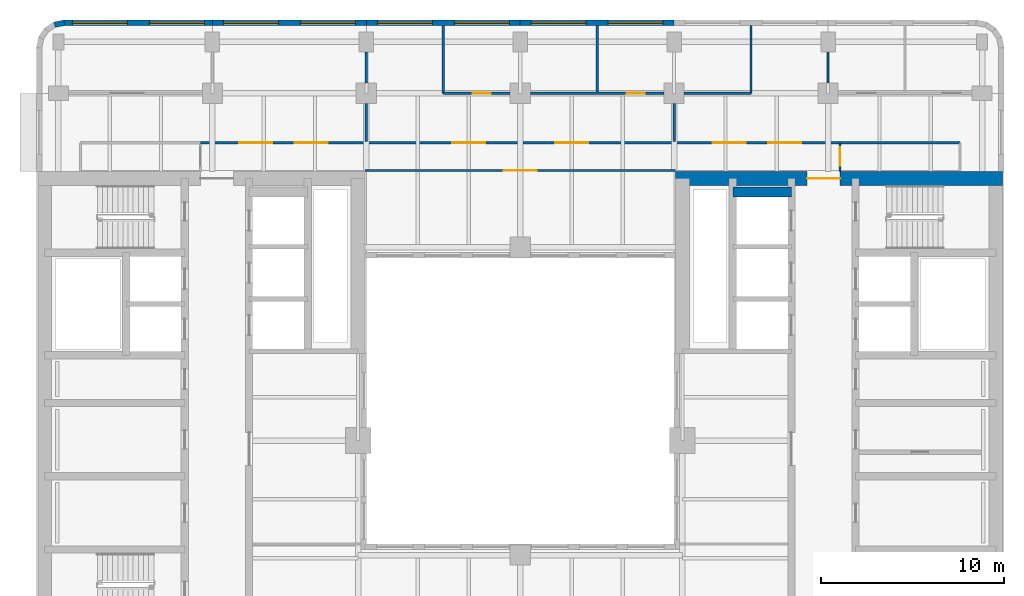
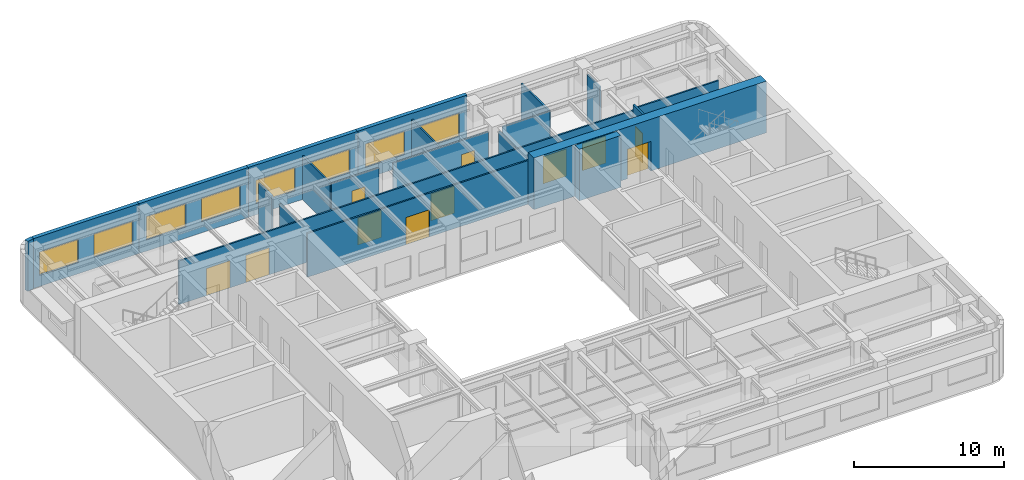
# One storey, part 7 of 11: 21 walls, 11 doors, 8 windows, 19 openings.
"""IFC4 building model written with IfcOpenShell, lengths in metres."""

from ifc_helpers import new_model, si_unit, direction, frame, frame_2d, origin, place, context, subcontext, project, spatial, rectangle, extrude, material, layer, layer_set, type_object, element, fill, save


model = new_model("IFC4")

# Units and contexts
model_context = context("Model", 3, precision=1e-05, world=origin(), true_north=direction((0.0, 1.0)))
body_context = subcontext(model_context, "Body", "Model", "MODEL_VIEW")
ifc_project = project(units=[si_unit("LENGTHUNIT", "METRE"), si_unit("AREAUNIT", "SQUARE_METRE"), si_unit("VOLUMEUNIT", "CUBIC_METRE"), si_unit("PLANEANGLEUNIT", "RADIAN"), si_unit("MASSUNIT", "GRAM", prefix="KILO")], contexts=[model_context])

# Site, building, storey
site_placement = place(None, origin())
site = spatial("IfcSite", under=ifc_project, at=site_placement, CompositionType="ELEMENT")
building_placement = place(site_placement, origin())
building = spatial("IfcBuilding", under=site, at=building_placement, Name="Claustro Exchange Tower", CompositionType="ELEMENT")
storey_placement = place(building_placement, frame((0.0, 0.0, 202.800048828125)))
storey = spatial("IfcBuildingStorey", under=building, at=storey_placement, Name="L46", CompositionType="ELEMENT", Elevation=202.800048828125)

# Wall, opening, door
ifc_material_1 = material(Name="Laminated glass in aluminium frame", Category="aluminium")
ifc_layer_1 = layer(ifc_material_1, 0.1201171875)
ifc_layer_set_1 = layer_set([ifc_layer_1], Name="Laminated glass in aluminium frame")
wall_type_1 = type_object("IfcWallType", Name="P2 120 glazed partition", PredefinedType="PARTITIONING", material=ifc_layer_set_1)
wall_1_placement = place(storey_placement, frame((21.0, 42.0, 0.0), z_axis=(0.0, 0.0, 1.0), x_axis=(1.0, 0.0, 0.0)))
wall_1 = element("IfcWall", 1, at=wall_1_placement, inside=storey, type_object=wall_type_1, Name="Partition P2 L46", PredefinedType="PARTITIONING", context=body_context, shape_type="SweptSolid", body=[
    extrude(rectangle(XDim=3.65087890625, YDim=0.1201171875, at=frame_2d((1.825439453125, 0.0))), origin(), (0.0, 0.0, 1.0), 3.550048828125),
])
opening_1_placement = place(wall_1_placement, frame((1.60009765625, 0.0, 0.0)))
opening_1 = element("IfcOpeningElement", 2, at=opening_1_placement, cuts=wall_1, Name="Opening D7", PredefinedType="OPENING", context=body_context, shape_type="SweptSolid", body=[
    extrude(rectangle(XDim=1.0, YDim=2.39990234375, at=frame_2d((0.5, 1.199951171875))), frame((0.0, 0.070068359375, 0.0), z_axis=(0.0, -1.0, 0.0), x_axis=(1.0, 0.0, 0.0)), (0.0, 0.0, 1.0), 0.14013671875),
])
ifc_material_2 = material(Name="Glass door in aluminium frame", Category="aluminium")
door_type_1 = type_object("IfcDoorType", Name="D7 1000 x 2400 glazed door", OperationType="SINGLE_SWING_LEFT", PredefinedType="DOOR", material=ifc_material_2)
door_1_placement = place(opening_1_placement, origin())
door_1 = element("IfcDoor", 3, at=door_1_placement, inside=storey, type_object=door_type_1, Name="Door D7 L46", OperationType="SINGLE_SWING_LEFT", OverallHeight=2.39990234375, OverallWidth=1.0, PredefinedType="DOOR", context=body_context, shape_type="SweptSolid", body=[
    extrude(rectangle(XDim=1.0, YDim=2.39990234375, at=frame_2d((0.5, 1.199951171875))), frame((0.0, 0.02490234375, 0.0), z_axis=(0.0, -1.0, 0.0), x_axis=(1.0, 0.0, 0.0)), (0.0, 0.0, 1.0), 0.050048828125),
])
fill(opening_1, door_1)

wall_2_placement = place(storey_placement, frame((25.7490234375, 42.0, 0.0), z_axis=(0.0, 0.0, 1.0), x_axis=(1.0, 0.0, 0.0)))
wall_2 = element("IfcWall", 4, at=wall_2_placement, inside=storey, type_object=wall_type_1, Name="Partition P2 L46", PredefinedType="PARTITIONING", context=body_context, shape_type="SweptSolid", body=[
    extrude(rectangle(XDim=7.302001953125, YDim=0.1201171875, at=frame_2d((3.65087890625, 0.0))), origin(), (0.0, 0.0, 1.0), 3.550048828125),
])
opening_2_placement = place(wall_2_placement, frame((5.2509765625, 0.0, 0.0)))
opening_2 = element("IfcOpeningElement", 5, at=opening_2_placement, cuts=wall_2, Name="Opening D7", PredefinedType="OPENING", context=body_context, shape_type="SweptSolid", body=[
    extrude(rectangle(XDim=1.0, YDim=2.39990234375, at=frame_2d((0.5, 1.199951171875))), frame((0.0, 0.070068359375, 0.0), z_axis=(0.0, -1.0, 0.0), x_axis=(1.0, 0.0, 0.0)), (0.0, 0.0, 1.0), 0.14013671875),
])
door_2_placement = place(opening_2_placement, origin())
door_2 = element("IfcDoor", 6, at=door_2_placement, inside=storey, type_object=door_type_1, Name="Door D7 L46", OperationType="SINGLE_SWING_LEFT", OverallHeight=2.39990234375, OverallWidth=1.0, PredefinedType="DOOR", context=body_context, shape_type="SweptSolid", body=[
    extrude(rectangle(XDim=1.0, YDim=2.39990234375, at=frame_2d((0.5, 1.199951171875))), frame((0.0, 0.02490234375, 0.0), z_axis=(0.0, -1.0, 0.0), x_axis=(1.0, 0.0, 0.0)), (0.0, 0.0, 1.0), 0.050048828125),
])
fill(opening_2, door_2)

# Walls
wall_3_placement = place(storey_placement, frame((34.14892578125, 42.0, 0.0), z_axis=(0.0, 0.0, 1.0), x_axis=(1.0, 0.0, 0.0)))
element("IfcWall", 7, at=wall_3_placement, inside=storey, type_object=wall_type_1, Name="Partition P2 L46", PredefinedType="PARTITIONING", context=body_context, shape_type="SweptSolid", body=[
    extrude(rectangle(XDim=3.651123046875, YDim=0.1201171875, at=frame_2d((1.82568359375, 0.0))), origin(), (0.0, 0.0, 1.0), 3.550048828125),
])
wall_4_placement = place(storey_placement, frame((21.0, 42.0, 0.0), z_axis=(0.0, 0.0, 1.0), x_axis=(0.0, 1.0, 0.0)))
element("IfcWall", 8, at=wall_4_placement, inside=storey, type_object=wall_type_1, Name="Partition P2 L46", PredefinedType="PARTITIONING", context=body_context, shape_type="SweptSolid", body=[
    extrude(rectangle(XDim=3.701904296875, YDim=0.1201171875, at=frame_2d((1.85107421875, 0.0))), origin(), (0.0, 0.0, 1.0), 3.550048828125),
])
wall_5_placement = place(storey_placement, frame((29.39990234375, 42.05810546875, 0.0), z_axis=(0.0, 0.0, 1.0), x_axis=(0.0, 1.0, 0.0)))
element("IfcWall", 9, at=wall_5_placement, inside=storey, type_object=wall_type_1, Name="Partition P2 L46", PredefinedType="PARTITIONING", context=body_context, shape_type="SweptSolid", body=[
    extrude(rectangle(XDim=3.643798828125, YDim=0.1201171875, at=frame_2d((1.82177734375, 0.0))), origin(), (0.0, 0.0, 1.0), 3.550048828125),
])
wall_6_placement = place(storey_placement, frame((37.800048828125, 42.0, 0.0), z_axis=(0.0, 0.0, 1.0), x_axis=(0.0, 1.0, 0.0)))
element("IfcWall", 10, at=wall_6_placement, inside=storey, type_object=wall_type_1, Name="Partition P2 L46", PredefinedType="PARTITIONING", context=body_context, shape_type="SweptSolid", body=[
    extrude(rectangle(XDim=3.701904296875, YDim=0.1201171875, at=frame_2d((1.85107421875, 0.0))), origin(), (0.0, 0.0, 1.0), 3.550048828125),
])
wall_7_placement = place(storey_placement, frame((42.0, 42.549072265625, 0.0), z_axis=(0.0, 0.0, 1.0), x_axis=(0.0, 1.0, 0.0)))
element("IfcWall", 11, at=wall_7_placement, inside=storey, type_object=wall_type_1, Name="Partition P2 L46", PredefinedType="PARTITIONING", context=body_context, shape_type="SweptSolid", body=[
    extrude(rectangle(XDim=1.701904296875, YDim=0.1201171875, at=frame_2d((0.85107421875, 0.0))), origin(), (0.0, 0.0, 1.0), 3.68994140625),
])
wall_8_placement = place(storey_placement, frame((16.800048828125, 39.35791015625, 0.0), z_axis=(0.0, 0.0, 1.0), x_axis=(0.0, 1.0, 0.0)))
element("IfcWall", 12, at=wall_8_placement, inside=storey, type_object=wall_type_1, Name="Partition P2 L46", PredefinedType="PARTITIONING", context=body_context, shape_type="SweptSolid", body=[
    extrude(rectangle(XDim=2.093017578125, YDim=0.1201171875, at=frame_2d((1.04638671875, 0.0))), origin(), (0.0, 0.0, 1.0), 3.68994140625),
])
wall_9_placement = place(storey_placement, frame((16.800048828125, 42.549072265625, 0.0), z_axis=(0.0, 0.0, 1.0), x_axis=(0.0, 1.0, 0.0)))
element("IfcWall", 13, at=wall_9_placement, inside=storey, type_object=wall_type_1, Name="Partition P2 L46", PredefinedType="PARTITIONING", context=body_context, shape_type="SweptSolid", body=[
    extrude(rectangle(XDim=1.701904296875, YDim=0.1201171875, at=frame_2d((0.85107421875, 0.0))), origin(), (0.0, 0.0, 1.0), 3.68994140625),
])
wall_10_placement = place(storey_placement, frame((33.60009765625, 39.35791015625, 0.0), z_axis=(0.0, 0.0, 1.0), x_axis=(0.0, 1.0, 0.0)))
element("IfcWall", 14, at=wall_10_placement, inside=storey, type_object=wall_type_1, Name="Partition P2 L46", PredefinedType="PARTITIONING", context=body_context, shape_type="SweptSolid", body=[
    extrude(rectangle(XDim=2.093017578125, YDim=0.1201171875, at=frame_2d((1.04638671875, 0.0))), origin(), (0.0, 0.0, 1.0), 3.68994140625),
])

# Wall, openings, doors
wall_11_placement = place(storey_placement, frame((7.748046875, 39.300048828125, 0.0), z_axis=(0.0, 0.0, 1.0), x_axis=(1.0, 0.0, 0.0)))
wall_11 = element("IfcWall", 15, at=wall_11_placement, inside=storey, type_object=wall_type_1, Name="Partition P2 L46", PredefinedType="PARTITIONING", context=body_context, shape_type="SweptSolid", body=[
    extrude(rectangle(XDim=34.904052734375, YDim=0.1201171875, at=frame_2d((17.4521484375, 0.0))), origin(), (0.0, 0.0, 1.0), 3.550048828125),
])
opening_3_placement = place(wall_11_placement, frame((2.11865234375, 0.0, 0.0)))
opening_3 = element("IfcOpeningElement", 16, at=opening_3_placement, cuts=wall_11, Name="Opening D2", PredefinedType="OPENING", context=body_context, shape_type="SweptSolid", body=[
    extrude(rectangle(XDim=1.800048828125, YDim=2.199951171875, at=frame_2d((0.89990234375, 1.10009765625))), frame((0.0, 0.070068359375, 0.0), z_axis=(0.0, -1.0, 0.0), x_axis=(1.0, 0.0, 0.0)), (0.0, 0.0, 1.0), 0.14013671875),
])
opening_4_placement = place(wall_11_placement, frame((5.13525390625, 0.0, 0.0)))
opening_4 = element("IfcOpeningElement", 17, at=opening_4_placement, cuts=wall_11, Name="Opening D2", PredefinedType="OPENING", context=body_context, shape_type="SweptSolid", body=[
    extrude(rectangle(XDim=1.800048828125, YDim=2.199951171875, at=frame_2d((0.89990234375, 1.10009765625))), frame((0.0, 0.070068359375, 0.0), z_axis=(0.0, -1.0, 0.0), x_axis=(1.0, 0.0, 0.0)), (0.0, 0.0, 1.0), 0.14013671875),
])
opening_5_placement = place(wall_11_placement, frame((13.751953125, 0.0, 0.0)))
opening_5 = element("IfcOpeningElement", 18, at=opening_5_placement, cuts=wall_11, Name="Opening D2", PredefinedType="OPENING", context=body_context, shape_type="SweptSolid", body=[
    extrude(rectangle(XDim=1.800048828125, YDim=2.199951171875, at=frame_2d((0.89990234375, 1.10009765625))), frame((0.0, 0.070068359375, 0.0), z_axis=(0.0, -1.0, 0.0), x_axis=(1.0, 0.0, 0.0)), (0.0, 0.0, 1.0), 0.14013671875),
])
opening_6_placement = place(wall_11_placement, frame((19.35205078125, 0.0, 0.0)))
opening_6 = element("IfcOpeningElement", 19, at=opening_6_placement, cuts=wall_11, Name="Opening D2", PredefinedType="OPENING", context=body_context, shape_type="SweptSolid", body=[
    extrude(rectangle(XDim=1.800048828125, YDim=2.199951171875, at=frame_2d((0.89990234375, 1.10009765625))), frame((0.0, 0.070068359375, 0.0), z_axis=(0.0, -1.0, 0.0), x_axis=(1.0, 0.0, 0.0)), (0.0, 0.0, 1.0), 0.14013671875),
])
opening_7_placement = place(wall_11_placement, frame((27.96875, 0.0, 0.0)))
opening_7 = element("IfcOpeningElement", 20, at=opening_7_placement, cuts=wall_11, Name="Opening D2", PredefinedType="OPENING", context=body_context, shape_type="SweptSolid", body=[
    extrude(rectangle(XDim=1.800048828125, YDim=2.199951171875, at=frame_2d((0.89990234375, 1.10009765625))), frame((0.0, 0.070068359375, 0.0), z_axis=(0.0, -1.0, 0.0), x_axis=(1.0, 0.0, 0.0)), (0.0, 0.0, 1.0), 0.14013671875),
])
opening_8_placement = place(wall_11_placement, frame((30.9853515625, 0.0, 0.0)))
opening_8 = element("IfcOpeningElement", 21, at=opening_8_placement, cuts=wall_11, Name="Opening D2", PredefinedType="OPENING", context=body_context, shape_type="SweptSolid", body=[
    extrude(rectangle(XDim=1.800048828125, YDim=2.199951171875, at=frame_2d((0.89990234375, 1.10009765625))), frame((0.0, 0.070068359375, 0.0), z_axis=(0.0, -1.0, 0.0), x_axis=(1.0, 0.0, 0.0)), (0.0, 0.0, 1.0), 0.14013671875),
])
ifc_material_3 = material(Name="Timber door, oak veneer", Category="wood")
door_type_2 = type_object("IfcDoorType", Name="D2 1800 x 2200 double door", OperationType="DOUBLE_DOOR_SINGLE_SWING", PredefinedType="DOOR", material=ifc_material_3)
door_3_placement = place(opening_3_placement, origin())
door_3 = element("IfcDoor", 22, at=door_3_placement, inside=storey, type_object=door_type_2, Name="Double door D2 L46", OperationType="DOUBLE_DOOR_SINGLE_SWING", OverallHeight=2.199951171875, OverallWidth=1.800048828125, PredefinedType="DOOR", context=body_context, shape_type="SweptSolid", body=[
    extrude(rectangle(XDim=1.800048828125, YDim=2.199951171875, at=frame_2d((0.89990234375, 1.10009765625))), frame((0.0, 0.02490234375, 0.0), z_axis=(0.0, -1.0, 0.0), x_axis=(1.0, 0.0, 0.0)), (0.0, 0.0, 1.0), 0.050048828125),
])
fill(opening_3, door_3)
door_4_placement = place(opening_4_placement, origin())
door_4 = element("IfcDoor", 23, at=door_4_placement, inside=storey, type_object=door_type_2, Name="Double door D2 L46", OperationType="DOUBLE_DOOR_SINGLE_SWING", OverallHeight=2.199951171875, OverallWidth=1.800048828125, PredefinedType="DOOR", context=body_context, shape_type="SweptSolid", body=[
    extrude(rectangle(XDim=1.800048828125, YDim=2.199951171875, at=frame_2d((0.89990234375, 1.10009765625))), frame((0.0, 0.02490234375, 0.0), z_axis=(0.0, -1.0, 0.0), x_axis=(1.0, 0.0, 0.0)), (0.0, 0.0, 1.0), 0.050048828125),
])
fill(opening_4, door_4)
door_5_placement = place(opening_5_placement, origin())
door_5 = element("IfcDoor", 24, at=door_5_placement, inside=storey, type_object=door_type_2, Name="Double door D2 L46", OperationType="DOUBLE_DOOR_SINGLE_SWING", OverallHeight=2.199951171875, OverallWidth=1.800048828125, PredefinedType="DOOR", context=body_context, shape_type="SweptSolid", body=[
    extrude(rectangle(XDim=1.800048828125, YDim=2.199951171875, at=frame_2d((0.89990234375, 1.10009765625))), frame((0.0, 0.02490234375, 0.0), z_axis=(0.0, -1.0, 0.0), x_axis=(1.0, 0.0, 0.0)), (0.0, 0.0, 1.0), 0.050048828125),
])
fill(opening_5, door_5)
door_6_placement = place(opening_6_placement, origin())
door_6 = element("IfcDoor", 25, at=door_6_placement, inside=storey, type_object=door_type_2, Name="Double door D2 L46", OperationType="DOUBLE_DOOR_SINGLE_SWING", OverallHeight=2.199951171875, OverallWidth=1.800048828125, PredefinedType="DOOR", context=body_context, shape_type="SweptSolid", body=[
    extrude(rectangle(XDim=1.800048828125, YDim=2.199951171875, at=frame_2d((0.89990234375, 1.10009765625))), frame((0.0, 0.02490234375, 0.0), z_axis=(0.0, -1.0, 0.0), x_axis=(1.0, 0.0, 0.0)), (0.0, 0.0, 1.0), 0.050048828125),
])
fill(opening_6, door_6)
door_7_placement = place(opening_7_placement, origin())
door_7 = element("IfcDoor", 26, at=door_7_placement, inside=storey, type_object=door_type_2, Name="Double door D2 L46", OperationType="DOUBLE_DOOR_SINGLE_SWING", OverallHeight=2.199951171875, OverallWidth=1.800048828125, PredefinedType="DOOR", context=body_context, shape_type="SweptSolid", body=[
    extrude(rectangle(XDim=1.800048828125, YDim=2.199951171875, at=frame_2d((0.89990234375, 1.10009765625))), frame((0.0, 0.02490234375, 0.0), z_axis=(0.0, -1.0, 0.0), x_axis=(1.0, 0.0, 0.0)), (0.0, 0.0, 1.0), 0.050048828125),
])
fill(opening_7, door_7)
door_8_placement = place(opening_8_placement, origin())
door_8 = element("IfcDoor", 27, at=door_8_placement, inside=storey, type_object=door_type_2, Name="Double door D2 L46", OperationType="DOUBLE_DOOR_SINGLE_SWING", OverallHeight=2.199951171875, OverallWidth=1.800048828125, PredefinedType="DOOR", context=body_context, shape_type="SweptSolid", body=[
    extrude(rectangle(XDim=1.800048828125, YDim=2.199951171875, at=frame_2d((0.89990234375, 1.10009765625))), frame((0.0, 0.02490234375, 0.0), z_axis=(0.0, -1.0, 0.0), x_axis=(1.0, 0.0, 0.0)), (0.0, 0.0, 1.0), 0.050048828125),
])
fill(opening_8, door_8)

# Wall, opening, door
wall_12_placement = place(storey_placement, frame((42.64990234375, 37.72412109375, 0.0), z_axis=(0.0, 0.0, 1.0), x_axis=(0.0, 1.0, 0.0)))
wall_12 = element("IfcWall", 28, at=wall_12_placement, inside=storey, type_object=wall_type_1, Name="Partition P2 L46", PredefinedType="PARTITIONING", context=body_context, shape_type="SweptSolid", body=[
    extrude(rectangle(XDim=1.517822265625, YDim=0.1201171875, at=frame_2d((0.7587890625, 0.0))), origin(), (0.0, 0.0, 1.0), 4.050048828125),
])
opening_9_placement = place(wall_12_placement, frame((0.325927734375, 0.0, 0.0)))
opening_9 = element("IfcOpeningElement", 29, at=opening_9_placement, cuts=wall_12, Name="Opening D7", PredefinedType="OPENING", context=body_context, shape_type="SweptSolid", body=[
    extrude(rectangle(XDim=1.0, YDim=2.39990234375, at=frame_2d((0.5, 1.199951171875))), frame((0.0, 0.070068359375, 0.0), z_axis=(0.0, -1.0, 0.0), x_axis=(1.0, 0.0, 0.0)), (0.0, 0.0, 1.0), 0.14013671875),
])
door_9_placement = place(opening_9_placement, frame((1.0, 0.0, 0.0), z_axis=(0.0, 0.0, 1.0), x_axis=(-1.0, 0.0, 0.0)))
door_9 = element("IfcDoor", 30, at=door_9_placement, inside=storey, type_object=door_type_1, Name="Door D7 L46", OperationType="SINGLE_SWING_RIGHT", OverallHeight=2.39990234375, OverallWidth=1.0, PredefinedType="DOOR", context=body_context, shape_type="SweptSolid", body=[
    extrude(rectangle(XDim=1.0, YDim=2.39990234375, at=frame_2d((0.5, 1.199951171875))), frame((0.0, 0.02490234375, 0.0), z_axis=(0.0, -1.0, 0.0), x_axis=(1.0, 0.0, 0.0)), (0.0, 0.0, 1.0), 0.050048828125),
])
fill(opening_9, door_9)

# Wall
wall_13_placement = place(storey_placement, frame((42.64794921875, 39.300048828125, 0.0), z_axis=(0.0, 0.0, 1.0), x_axis=(1.0, 0.0, 0.0)))
element("IfcWall", 31, at=wall_13_placement, inside=storey, type_object=wall_type_1, Name="Partition P2 L46", PredefinedType="PARTITIONING", context=body_context, shape_type="SweptSolid", body=[
    extrude(rectangle(XDim=6.552001953125, YDim=0.1201171875, at=frame_2d((3.27587890625, 0.0))), origin(), (0.0, 0.0, 1.0), 3.68994140625),
])

# Wall, opening, door
wall_14_placement = place(storey_placement, frame((16.72509765625, 37.784912109375, 0.0), z_axis=(0.0, 0.0, 1.0), x_axis=(1.0, 0.0, 0.0)))
wall_14 = element("IfcWall", 32, at=wall_14_placement, inside=storey, type_object=wall_type_1, Name="Partition P2 L46", PredefinedType="PARTITIONING", context=body_context, shape_type="SweptSolid", body=[
    extrude(rectangle(XDim=16.949951171875, YDim=0.1201171875, at=frame_2d((8.47509765625, 0.0))), origin(), (0.0, 0.0, 1.0), 3.550048828125),
])
opening_10_placement = place(wall_14_placement, frame((7.574951171875, 0.0, 0.0)))
opening_10 = element("IfcOpeningElement", 33, at=opening_10_placement, cuts=wall_14, Name="Opening D2", PredefinedType="OPENING", context=body_context, shape_type="SweptSolid", body=[
    extrude(rectangle(XDim=1.800048828125, YDim=2.199951171875, at=frame_2d((0.89990234375, 1.10009765625))), frame((0.0, 0.070068359375, 0.0), z_axis=(0.0, -1.0, 0.0), x_axis=(1.0, 0.0, 0.0)), (0.0, 0.0, 1.0), 0.14013671875),
])
door_10_placement = place(opening_10_placement, frame((1.800048828125, 0.0, 0.0), z_axis=(0.0, 0.0, 1.0), x_axis=(-1.0, 0.0, 0.0)))
door_10 = element("IfcDoor", 34, at=door_10_placement, inside=storey, type_object=door_type_2, Name="Double door D2 L46", OperationType="DOUBLE_DOOR_SINGLE_SWING", OverallHeight=2.199951171875, OverallWidth=1.800048828125, PredefinedType="DOOR", context=body_context, shape_type="SweptSolid", body=[
    extrude(rectangle(XDim=1.800048828125, YDim=2.199951171875, at=frame_2d((0.89990234375, 1.10009765625))), frame((0.0, 0.02490234375, 0.0), z_axis=(0.0, -1.0, 0.0), x_axis=(1.0, 0.0, 0.0)), (0.0, 0.0, 1.0), 0.050048828125),
])
fill(opening_10, door_10)

# Wall
ifc_material_4 = material(Name="Concrete HA-40 (C40/50), precast, white cement, acid-etched", Category="concrete")
ifc_layer_2 = layer(ifc_material_4, 0.300048828125)
ifc_layer_set_2 = layer_set([ifc_layer_2], Name="Concrete HA-40 (C40/50), precast, white cement, acid-etched")
wall_type_2 = type_object("IfcWallType", Name="PC1 300 precast concrete pier panel", PredefinedType="SOLIDWALL", material=ifc_layer_set_2)
wall_15_placement = place(storey_placement, frame((-0.215576171875, 45.744384765625, 0.0), z_axis=(0.0, 0.0, 1.0), x_axis=(0.980702050465, 0.1955082817, 0.0)))
element("IfcWall", 35, at=wall_15_placement, inside=storey, type_object=wall_type_2, Name="Precast pier panel PC1 L46", PredefinedType="SOLIDWALL", context=body_context, shape_type="SweptSolid", body=[
    extrude(rectangle(XDim=0.540771484375, YDim=0.300048828125, at=frame_2d((0.2705078125, 0.0))), origin(), (0.0, 0.0, 1.0), 4.050048828125),
])

# Wall, openings, windows
wall_16_placement = place(storey_placement, frame((0.314697265625, 45.85009765625, 0.0), z_axis=(0.0, 0.0, 1.0), x_axis=(1.0, 0.0, 0.0)))
wall_16 = element("IfcWall", 36, at=wall_16_placement, inside=storey, type_object=wall_type_2, Name="Precast pier panel PC1 L46", PredefinedType="SOLIDWALL", context=body_context, shape_type="SweptSolid", body=[
    extrude(rectangle(XDim=8.085205078125, YDim=0.300048828125, at=frame_2d((4.04248046875, 0.0))), origin(), (0.0, 0.0, 1.0), 4.050048828125),
])
opening_11_placement = place(wall_16_placement, frame((0.442626953125, 0.0, 0.89990234375)))
opening_11 = element("IfcOpeningElement", 37, at=opening_11_placement, cuts=wall_16, Name="Opening W1", PredefinedType="OPENING", context=body_context, shape_type="SweptSolid", body=[
    extrude(rectangle(XDim=3.0, YDim=1.89990234375, at=frame_2d((1.5, 0.949951171875))), frame((0.0, 0.159912109375, 0.0), z_axis=(0.0, -1.0, 0.0), x_axis=(1.0, 0.0, 0.0)), (0.0, 0.0, 1.0), 0.320068359375),
])
opening_12_placement = place(wall_16_placement, frame((4.642578125, 0.0, 0.89990234375)))
opening_12 = element("IfcOpeningElement", 38, at=opening_12_placement, cuts=wall_16, Name="Opening W1", PredefinedType="OPENING", context=body_context, shape_type="SweptSolid", body=[
    extrude(rectangle(XDim=3.0, YDim=1.89990234375, at=frame_2d((1.5, 0.949951171875))), frame((0.0, 0.159912109375, 0.0), z_axis=(0.0, -1.0, 0.0), x_axis=(1.0, 0.0, 0.0)), (0.0, 0.0, 1.0), 0.320068359375),
])
ifc_material_5 = material(Name="Aluminium frame, clear double glazing", Category="aluminium")
window_type = type_object("IfcWindowType", Name="W1 3000 x 1900 window", PartitioningType="SINGLE_PANEL", PredefinedType="WINDOW", material=ifc_material_5)
window_1_placement = place(opening_11_placement, origin())
window_1 = element("IfcWindow", 39, at=window_1_placement, inside=storey, type_object=window_type, Name="Window W1 L46", OverallHeight=1.89990234375, OverallWidth=3.0, PartitioningType="SINGLE_PANEL", PredefinedType="WINDOW", context=body_context, shape_type="SweptSolid", body=[
    extrude(rectangle(XDim=3.0, YDim=1.89990234375, at=frame_2d((1.5, 0.949951171875))), frame((0.0, 0.030029296875, 0.0), z_axis=(0.0, -1.0, 0.0), x_axis=(1.0, 0.0, 0.0)), (0.0, 0.0, 1.0), 0.06005859375),
])
fill(opening_11, window_1)
window_2_placement = place(opening_12_placement, origin())
window_2 = element("IfcWindow", 40, at=window_2_placement, inside=storey, type_object=window_type, Name="Window W1 L46", OverallHeight=1.89990234375, OverallWidth=3.0, PartitioningType="SINGLE_PANEL", PredefinedType="WINDOW", context=body_context, shape_type="SweptSolid", body=[
    extrude(rectangle(XDim=3.0, YDim=1.89990234375, at=frame_2d((1.5, 0.949951171875))), frame((0.0, 0.030029296875, 0.0), z_axis=(0.0, -1.0, 0.0), x_axis=(1.0, 0.0, 0.0)), (0.0, 0.0, 1.0), 0.06005859375),
])
fill(opening_12, window_2)

wall_17_placement = place(storey_placement, frame((8.39990234375, 45.85009765625, 0.0), z_axis=(0.0, 0.0, 1.0), x_axis=(1.0, 0.0, 0.0)))
wall_17 = element("IfcWall", 41, at=wall_17_placement, inside=storey, type_object=wall_type_2, Name="Precast pier panel PC1 L46", PredefinedType="SOLIDWALL", context=body_context, shape_type="SweptSolid", body=[
    extrude(rectangle(XDim=8.400146484375, YDim=0.300048828125, at=frame_2d((4.2001953125, 0.0))), origin(), (0.0, 0.0, 1.0), 4.050048828125),
])
opening_13_placement = place(wall_17_placement, frame((0.60009765625, 0.0, 0.89990234375)))
opening_13 = element("IfcOpeningElement", 42, at=opening_13_placement, cuts=wall_17, Name="Opening W1", PredefinedType="OPENING", context=body_context, shape_type="SweptSolid", body=[
    extrude(rectangle(XDim=3.0, YDim=1.89990234375, at=frame_2d((1.5, 0.949951171875))), frame((0.0, 0.159912109375, 0.0), z_axis=(0.0, -1.0, 0.0), x_axis=(1.0, 0.0, 0.0)), (0.0, 0.0, 1.0), 0.320068359375),
])
opening_14_placement = place(wall_17_placement, frame((4.800048828125, 0.0, 0.89990234375)))
opening_14 = element("IfcOpeningElement", 43, at=opening_14_placement, cuts=wall_17, Name="Opening W1", PredefinedType="OPENING", context=body_context, shape_type="SweptSolid", body=[
    extrude(rectangle(XDim=3.0, YDim=1.89990234375, at=frame_2d((1.5, 0.949951171875))), frame((0.0, 0.159912109375, 0.0), z_axis=(0.0, -1.0, 0.0), x_axis=(1.0, 0.0, 0.0)), (0.0, 0.0, 1.0), 0.320068359375),
])
window_3_placement = place(opening_13_placement, origin())
window_3 = element("IfcWindow", 44, at=window_3_placement, inside=storey, type_object=window_type, Name="Window W1 L46", OverallHeight=1.89990234375, OverallWidth=3.0, PartitioningType="SINGLE_PANEL", PredefinedType="WINDOW", context=body_context, shape_type="SweptSolid", body=[
    extrude(rectangle(XDim=3.0, YDim=1.89990234375, at=frame_2d((1.5, 0.949951171875))), frame((0.0, 0.030029296875, 0.0), z_axis=(0.0, -1.0, 0.0), x_axis=(1.0, 0.0, 0.0)), (0.0, 0.0, 1.0), 0.06005859375),
])
fill(opening_13, window_3)
window_4_placement = place(opening_14_placement, origin())
window_4 = element("IfcWindow", 45, at=window_4_placement, inside=storey, type_object=window_type, Name="Window W1 L46", OverallHeight=1.89990234375, OverallWidth=3.0, PartitioningType="SINGLE_PANEL", PredefinedType="WINDOW", context=body_context, shape_type="SweptSolid", body=[
    extrude(rectangle(XDim=3.0, YDim=1.89990234375, at=frame_2d((1.5, 0.949951171875))), frame((0.0, 0.030029296875, 0.0), z_axis=(0.0, -1.0, 0.0), x_axis=(1.0, 0.0, 0.0)), (0.0, 0.0, 1.0), 0.06005859375),
])
fill(opening_14, window_4)

wall_18_placement = place(storey_placement, frame((16.800048828125, 45.85009765625, 0.0), z_axis=(0.0, 0.0, 1.0), x_axis=(1.0, 0.0, 0.0)))
wall_18 = element("IfcWall", 46, at=wall_18_placement, inside=storey, type_object=wall_type_2, Name="Precast pier panel PC1 L46", PredefinedType="SOLIDWALL", context=body_context, shape_type="SweptSolid", body=[
    extrude(rectangle(XDim=8.39990234375, YDim=0.300048828125, at=frame_2d((4.199951171875, 0.0))), origin(), (0.0, 0.0, 1.0), 4.050048828125),
])
opening_15_placement = place(wall_18_placement, frame((0.60009765625, 0.0, 0.89990234375)))
opening_15 = element("IfcOpeningElement", 47, at=opening_15_placement, cuts=wall_18, Name="Opening W1", PredefinedType="OPENING", context=body_context, shape_type="SweptSolid", body=[
    extrude(rectangle(XDim=3.0, YDim=1.89990234375, at=frame_2d((1.5, 0.949951171875))), frame((0.0, 0.159912109375, 0.0), z_axis=(0.0, -1.0, 0.0), x_axis=(1.0, 0.0, 0.0)), (0.0, 0.0, 1.0), 0.320068359375),
])
opening_16_placement = place(wall_18_placement, frame((4.800048828125, 0.0, 0.89990234375)))
opening_16 = element("IfcOpeningElement", 48, at=opening_16_placement, cuts=wall_18, Name="Opening W1", PredefinedType="OPENING", context=body_context, shape_type="SweptSolid", body=[
    extrude(rectangle(XDim=3.0, YDim=1.89990234375, at=frame_2d((1.5, 0.949951171875))), frame((0.0, 0.159912109375, 0.0), z_axis=(0.0, -1.0, 0.0), x_axis=(1.0, 0.0, 0.0)), (0.0, 0.0, 1.0), 0.320068359375),
])
window_5_placement = place(opening_15_placement, origin())
window_5 = element("IfcWindow", 49, at=window_5_placement, inside=storey, type_object=window_type, Name="Window W1 L46", OverallHeight=1.89990234375, OverallWidth=3.0, PartitioningType="SINGLE_PANEL", PredefinedType="WINDOW", context=body_context, shape_type="SweptSolid", body=[
    extrude(rectangle(XDim=3.0, YDim=1.89990234375, at=frame_2d((1.5, 0.949951171875))), frame((0.0, 0.030029296875, 0.0), z_axis=(0.0, -1.0, 0.0), x_axis=(1.0, 0.0, 0.0)), (0.0, 0.0, 1.0), 0.06005859375),
])
fill(opening_15, window_5)
window_6_placement = place(opening_16_placement, origin())
window_6 = element("IfcWindow", 50, at=window_6_placement, inside=storey, type_object=window_type, Name="Window W1 L46", OverallHeight=1.89990234375, OverallWidth=3.0, PartitioningType="SINGLE_PANEL", PredefinedType="WINDOW", context=body_context, shape_type="SweptSolid", body=[
    extrude(rectangle(XDim=3.0, YDim=1.89990234375, at=frame_2d((1.5, 0.949951171875))), frame((0.0, 0.030029296875, 0.0), z_axis=(0.0, -1.0, 0.0), x_axis=(1.0, 0.0, 0.0)), (0.0, 0.0, 1.0), 0.06005859375),
])
fill(opening_16, window_6)

wall_19_placement = place(storey_placement, frame((25.199951171875, 45.85009765625, 0.0), z_axis=(0.0, 0.0, 1.0), x_axis=(1.0, 0.0, 0.0)))
wall_19 = element("IfcWall", 51, at=wall_19_placement, inside=storey, type_object=wall_type_2, Name="Precast pier panel PC1 L46", PredefinedType="SOLIDWALL", context=body_context, shape_type="SweptSolid", body=[
    extrude(rectangle(XDim=8.400146484375, YDim=0.300048828125, at=frame_2d((4.2001953125, 0.0))), origin(), (0.0, 0.0, 1.0), 4.050048828125),
])
opening_17_placement = place(wall_19_placement, frame((0.60009765625, 0.0, 0.89990234375)))
opening_17 = element("IfcOpeningElement", 52, at=opening_17_placement, cuts=wall_19, Name="Opening W1", PredefinedType="OPENING", context=body_context, shape_type="SweptSolid", body=[
    extrude(rectangle(XDim=3.0, YDim=1.89990234375, at=frame_2d((1.5, 0.949951171875))), frame((0.0, 0.159912109375, 0.0), z_axis=(0.0, -1.0, 0.0), x_axis=(1.0, 0.0, 0.0)), (0.0, 0.0, 1.0), 0.320068359375),
])
opening_18_placement = place(wall_19_placement, frame((4.800048828125, 0.0, 0.89990234375)))
opening_18 = element("IfcOpeningElement", 53, at=opening_18_placement, cuts=wall_19, Name="Opening W1", PredefinedType="OPENING", context=body_context, shape_type="SweptSolid", body=[
    extrude(rectangle(XDim=3.0, YDim=1.89990234375, at=frame_2d((1.5, 0.949951171875))), frame((0.0, 0.159912109375, 0.0), z_axis=(0.0, -1.0, 0.0), x_axis=(1.0, 0.0, 0.0)), (0.0, 0.0, 1.0), 0.320068359375),
])
window_7_placement = place(opening_17_placement, origin())
window_7 = element("IfcWindow", 54, at=window_7_placement, inside=storey, type_object=window_type, Name="Window W1 L46", OverallHeight=1.89990234375, OverallWidth=3.0, PartitioningType="SINGLE_PANEL", PredefinedType="WINDOW", context=body_context, shape_type="SweptSolid", body=[
    extrude(rectangle(XDim=3.0, YDim=1.89990234375, at=frame_2d((1.5, 0.949951171875))), frame((0.0, 0.030029296875, 0.0), z_axis=(0.0, -1.0, 0.0), x_axis=(1.0, 0.0, 0.0)), (0.0, 0.0, 1.0), 0.06005859375),
])
fill(opening_17, window_7)
window_8_placement = place(opening_18_placement, origin())
window_8 = element("IfcWindow", 55, at=window_8_placement, inside=storey, type_object=window_type, Name="Window W1 L46", OverallHeight=1.89990234375, OverallWidth=3.0, PartitioningType="SINGLE_PANEL", PredefinedType="WINDOW", context=body_context, shape_type="SweptSolid", body=[
    extrude(rectangle(XDim=3.0, YDim=1.89990234375, at=frame_2d((1.5, 0.949951171875))), frame((0.0, 0.030029296875, 0.0), z_axis=(0.0, -1.0, 0.0), x_axis=(1.0, 0.0, 0.0)), (0.0, 0.0, 1.0), 0.06005859375),
])
fill(opening_18, window_8)

# Wall, opening, door
ifc_material_6 = material(Name="Concrete HA-70 (C70/85)", Category="concrete")
ifc_layer_3 = layer(ifc_material_6, 0.75)
ifc_layer_set_3 = layer_set([ifc_layer_3], Name="Concrete HA-70 (C70/85)")
wall_type_3 = type_object("IfcWallType", Name="SW2 750 core shear wall", PredefinedType="SHEAR", material=ifc_layer_set_3)
wall_20_placement = place(storey_placement, frame((33.675048828125, 37.35009765625, 0.0), z_axis=(0.0, 0.0, 1.0), x_axis=(1.0, 0.0, 0.0)))
wall_20 = element("IfcWall", 56, at=wall_20_placement, inside=storey, type_object=wall_type_3, Name="Core wall SW2 E core N face L46", PredefinedType="SHEAR", context=body_context, shape_type="SweptSolid", body=[
    extrude(rectangle(XDim=17.849853515625, YDim=0.75, at=frame_2d((8.9248046875, 0.0))), origin(), (0.0, 0.0, 1.0), 4.199951171875),
])
opening_19_placement = place(wall_20_placement, frame((7.175048828125, 0.0, 0.0)))
opening_19 = element("IfcOpeningElement", 57, at=opening_19_placement, cuts=wall_20, Name="Opening D3", PredefinedType="OPENING", context=body_context, shape_type="SweptSolid", body=[
    extrude(rectangle(XDim=1.800048828125, YDim=2.39990234375, at=frame_2d((0.89990234375, 1.199951171875))), frame((0.0, 0.385009765625, 0.0), z_axis=(0.0, -1.0, 0.0), x_axis=(1.0, 0.0, 0.0)), (0.0, 0.0, 1.0), 0.77001953125),
])
ifc_material_7 = material(Name="Steel fire door, painted", Category="steel")
door_type_3 = type_object("IfcDoorType", Name="D3 1800 x 2400 fire-rated lobby double door", OperationType="DOUBLE_DOOR_SINGLE_SWING", PredefinedType="DOOR", material=ifc_material_7)
door_11_placement = place(opening_19_placement, frame((1.800048828125, 0.0, 0.0), z_axis=(0.0, 0.0, 1.0), x_axis=(-1.0, 0.0, 0.0)))
door_11 = element("IfcDoor", 58, at=door_11_placement, inside=storey, type_object=door_type_3, Name="Lift lobby door D3 L46", OperationType="DOUBLE_DOOR_SINGLE_SWING", OverallHeight=2.39990234375, OverallWidth=1.800048828125, PredefinedType="DOOR", context=body_context, shape_type="SweptSolid", body=[
    extrude(rectangle(XDim=1.800048828125, YDim=2.39990234375, at=frame_2d((0.89990234375, 1.199951171875))), frame((0.0, 0.02490234375, 0.0), z_axis=(0.0, -1.0, 0.0), x_axis=(1.0, 0.0, 0.0)), (0.0, 0.0, 1.0), 0.050048828125),
])
fill(opening_19, door_11)

# Wall
ifc_material_8 = material(Name="Concrete HA-50 (C50/60)", Category="concrete")
ifc_layer_4 = layer(ifc_material_8, 0.550048828125)
ifc_layer_set_4 = layer_set([ifc_layer_4], Name="Concrete HA-50 (C50/60)")
wall_type_4 = type_object("IfcWallType", Name="SW6 550 lift shaft end wall", PredefinedType="SHEAR", material=ifc_layer_set_4)
wall_21_placement = place(storey_placement, frame((40.0, 36.625, 0.0), z_axis=(0.0, 0.0, 1.0), x_axis=(-1.0, 0.0, 0.0)))
element("IfcWall", 59, at=wall_21_placement, inside=storey, type_object=wall_type_4, Name="Lift shaft wall E core L46", PredefinedType="SHEAR", context=body_context, shape_type="SweptSolid", body=[
    extrude(rectangle(XDim=3.199951171875, YDim=0.550048828125, at=frame_2d((1.60009765625, 0.0))), origin(), (0.0, 0.0, 1.0), 4.199951171875),
])

save(model, "model.ifc")
